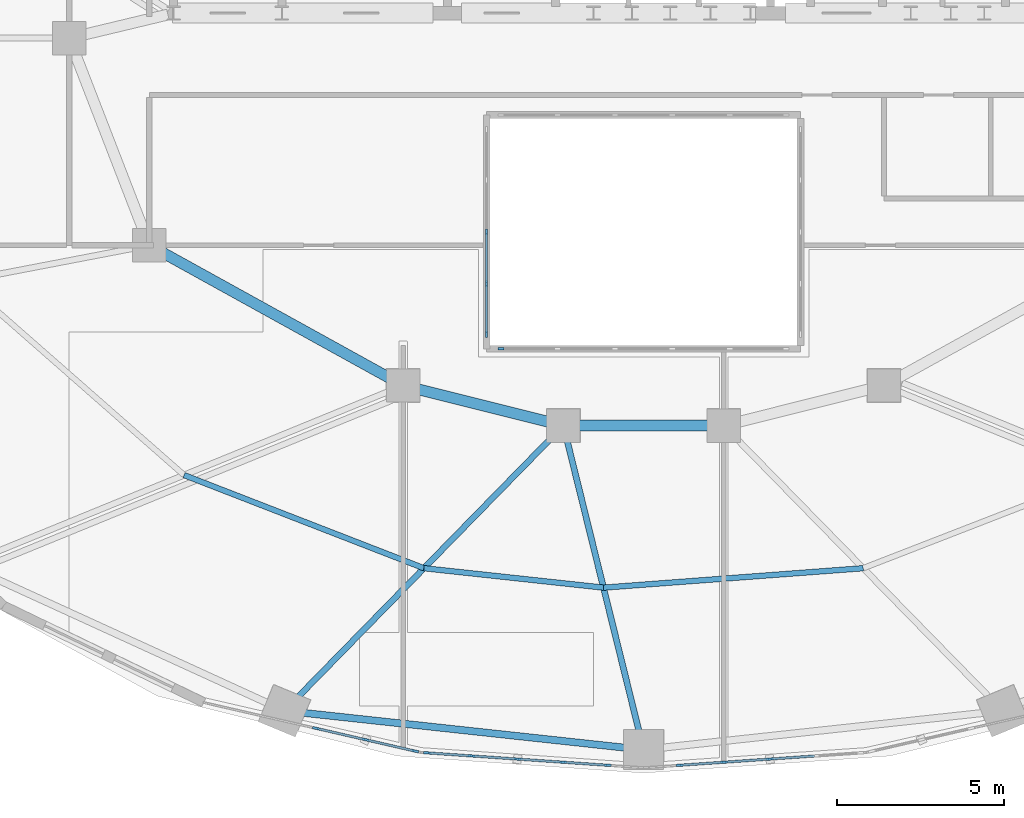
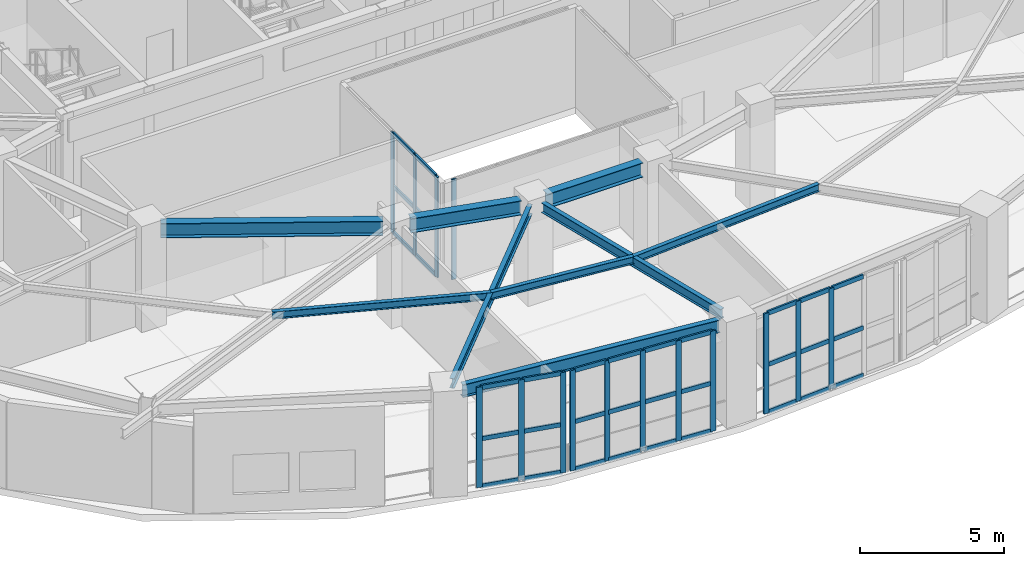
# One storey, part 3 of 16: 48 members, 9 beams, 5 elements without a shape of their own.
"""IFC4 building model written with IfcOpenShell, lengths in metres."""

from ifc_helpers import new_model, si_unit, direction, frame, origin, origin_2d, place, context, subcontext, project, spatial, rectangle, i_section, extrude, material, material_profile, profile_set, type_object, element, aggregate, save


model = new_model("IFC4")

# Units and contexts
model_context = context("Model", 3, precision=1e-05, world=origin(), true_north=direction((0.0, 1.0)))
body_context = subcontext(model_context, "Body", "Model", "MODEL_VIEW")
ifc_project = project(units=[si_unit("LENGTHUNIT", "METRE"), si_unit("AREAUNIT", "SQUARE_METRE"), si_unit("VOLUMEUNIT", "CUBIC_METRE"), si_unit("PLANEANGLEUNIT", "RADIAN"), si_unit("MASSUNIT", "GRAM", prefix="KILO")], contexts=[model_context])

# Site, building, storey
site_placement = place(None, origin())
site = spatial("IfcSite", under=ifc_project, at=site_placement, CompositionType="ELEMENT")
building_placement = place(site_placement, origin())
building = spatial("IfcBuilding", under=site, at=building_placement, Name="Haldorwick Loom Tower", CompositionType="ELEMENT")
storey_placement = place(building_placement, frame((0.0, 0.0, 200.35009765625)))
storey = spatial("IfcBuildingStorey", under=building, at=storey_placement, Name="L54", CompositionType="ELEMENT", Elevation=200.35009765625)

# Curtain wall, member
ifc_material_1 = material(Name="Thermally Broken Anodized Aluminium Curtain Wall Framing", Category="aluminium")
curtain_wall_type_1 = type_object("IfcCurtainWallType", Name="ARC-CW-03", PredefinedType="NOTDEFINED", material=ifc_material_1)
curtain_wall_1_placement = place(storey_placement, origin())
curtain_wall_1 = element("IfcCurtainWall", 1, at=curtain_wall_1_placement, inside=storey, type_object=curtain_wall_type_1, Name="L54 Atrium Glazed Screen S", PredefinedType="NOTDEFINED")
ifc_material_profile_1 = material_profile(ifc_material_1, rectangle(XDim=0.06591796875, YDim=0.18505859375, at=origin_2d()), Name="ALU_MUL_66X185", Category="aluminium")
ifc_profile_set_1 = profile_set([ifc_material_profile_1], Name="Thermally Broken Anodized Aluminium Curtain Wall Framing")
member_type_1 = type_object("IfcMemberType", Name="ARC-CWM-03", PredefinedType="MULLION", material=ifc_profile_set_1)
member_1_placement = place(storey_placement, frame((31.73291015625, 16.699951171875, 0.0), z_axis=(0.0, 0.0, 1.0), x_axis=(0.0, -1.0, 0.0)))
member_1 = element("IfcMember", 2, at=member_1_placement, type_object=member_type_1, Name="CW-03 mullion 6", PredefinedType="MULLION", context=body_context, shape_type="SweptSolid", body=[
    extrude(rectangle(XDim=0.06591796875, YDim=0.18505859375, at=origin_2d()), origin(), (0.0, 0.0, 1.0), 4.260009765625),
])
aggregate(curtain_wall_1, [member_1])

# Curtain wall, members
curtain_wall_2_placement = place(storey_placement, origin())
curtain_wall_2 = element("IfcCurtainWall", 3, at=curtain_wall_2_placement, inside=storey, type_object=curtain_wall_type_1, Name="L54 Atrium Glazed Screen W", PredefinedType="NOTDEFINED")
member_2_placement = place(storey_placement, frame((31.300048828125, 17.133056640625, 0.0), z_axis=(0.0, 0.0, 1.0), x_axis=(-1.0, 0.0, 0.0)))
member_2 = element("IfcMember", 4, at=member_2_placement, type_object=member_type_1, Name="CW-03 mullion 1", PredefinedType="MULLION", context=body_context, shape_type="SweptSolid", body=[
    extrude(rectangle(XDim=0.06591796875, YDim=0.18505859375, at=origin_2d()), origin(), (0.0, 0.0, 1.0), 4.260009765625),
])
member_3_placement = place(storey_placement, frame((31.300048828125, 18.64990234375, 0.0), z_axis=(0.0, 0.0, 1.0), x_axis=(-1.0, 0.0, 0.0)))
member_3 = element("IfcMember", 5, at=member_3_placement, type_object=member_type_1, Name="CW-03 mullion 2", PredefinedType="MULLION", context=body_context, shape_type="SweptSolid", body=[
    extrude(rectangle(XDim=0.06591796875, YDim=0.18505859375, at=origin_2d()), origin(), (0.0, 0.0, 1.0), 4.260009765625),
])
member_4_placement = place(storey_placement, frame((31.300048828125, 20.199951171875, 0.0), z_axis=(0.0, 0.0, 1.0), x_axis=(-1.0, 0.0, 0.0)))
member_4 = element("IfcMember", 6, at=member_4_placement, type_object=member_type_1, Name="CW-03 mullion 3", PredefinedType="MULLION", context=body_context, shape_type="SweptSolid", body=[
    extrude(rectangle(XDim=0.06591796875, YDim=0.18505859375, at=origin_2d()), origin(), (0.0, 0.0, 1.0), 4.260009765625),
])

curtain_wall_type_2 = type_object("IfcCurtainWallType", Name="ARC-CW-04", PredefinedType="NOTDEFINED", material=ifc_material_1)
curtain_wall_3_placement = place(storey_placement, origin())
curtain_wall_3 = element("IfcCurtainWall", 7, at=curtain_wall_3_placement, inside=storey, type_object=curtain_wall_type_2, Name="L54 Facade Curtain Wall CW-04 Bay 17", PredefinedType="NOTDEFINED")
ifc_material_profile_2 = material_profile(ifc_material_1, rectangle(XDim=0.072021484375, YDim=0.205078125, at=origin_2d()), Name="ALU_MUL_72X205", Category="aluminium")
ifc_profile_set_2 = profile_set([ifc_material_profile_2], Name="Thermally Broken Anodized Aluminium Curtain Wall Framing")
member_type_2 = type_object("IfcMemberType", Name="ARC-CWM-04", PredefinedType="MULLION", material=ifc_profile_set_2)
member_5_placement = place(storey_placement, frame((26.189208984375, 5.336181640625, 0.0), z_axis=(0.0, 0.0, 1.0), x_axis=(0.224141611493, 0.974556585323, 0.0)))
member_5 = element("IfcMember", 8, at=member_5_placement, type_object=member_type_2, Name="CW-04 mullion 1", PredefinedType="MULLION", context=body_context, shape_type="SweptSolid", body=[
    extrude(rectangle(XDim=0.072021484375, YDim=0.205078125, at=origin_2d()), origin(), (0.0, 0.0, 1.0), 4.260009765625),
])
member_6_placement = place(storey_placement, frame((27.67626953125, 4.994140625, 0.0), z_axis=(0.0, 0.0, 1.0), x_axis=(0.224141611493, 0.974556585323, 0.0)))
member_6 = element("IfcMember", 9, at=member_6_placement, type_object=member_type_2, Name="CW-04 mullion 2", PredefinedType="MULLION", context=body_context, shape_type="SweptSolid", body=[
    extrude(rectangle(XDim=0.072021484375, YDim=0.205078125, at=origin_2d()), origin(), (0.0, 0.0, 1.0), 4.260009765625),
])
member_7_placement = place(storey_placement, frame((29.1630859375, 4.65234375, 0.0), z_axis=(0.0, 0.0, 1.0), x_axis=(0.224141611493, 0.974556585323, 0.0)))
member_7 = element("IfcMember", 10, at=member_7_placement, type_object=member_type_2, Name="CW-04 mullion 3", PredefinedType="MULLION", context=body_context, shape_type="SweptSolid", body=[
    extrude(rectangle(XDim=0.072021484375, YDim=0.205078125, at=origin_2d()), origin(), (0.0, 0.0, 1.0), 4.260009765625),
])

curtain_wall_4_placement = place(storey_placement, origin())
curtain_wall_4 = element("IfcCurtainWall", 11, at=curtain_wall_4_placement, inside=storey, type_object=curtain_wall_type_2, Name="L54 Facade Curtain Wall CW-04 Bay 18", PredefinedType="NOTDEFINED")
member_8_placement = place(storey_placement, frame((29.51025390625, 4.600830078125, 0.0), z_axis=(0.0, 0.0, 1.0), x_axis=(0.068513392431, 0.997650196741, 0.0)))
member_8 = element("IfcMember", 12, at=member_8_placement, type_object=member_type_2, Name="CW-04 mullion 1", PredefinedType="MULLION", context=body_context, shape_type="SweptSolid", body=[
    extrude(rectangle(XDim=0.072021484375, YDim=0.205078125, at=origin_2d()), origin(), (0.0, 0.0, 1.0), 4.260009765625),
])
member_9_placement = place(storey_placement, frame((30.84716796875, 4.509033203125, 0.0), z_axis=(0.0, 0.0, 1.0), x_axis=(0.068513392431, 0.997650196741, 0.0)))
member_9 = element("IfcMember", 13, at=member_9_placement, type_object=member_type_2, Name="CW-04 mullion 2", PredefinedType="MULLION", context=body_context, shape_type="SweptSolid", body=[
    extrude(rectangle(XDim=0.072021484375, YDim=0.205078125, at=origin_2d()), origin(), (0.0, 0.0, 1.0), 4.260009765625),
])
member_10_placement = place(storey_placement, frame((32.219970703125, 4.41455078125, 0.0), z_axis=(0.0, 0.0, 1.0), x_axis=(0.068513392431, 0.997650196741, 0.0)))
member_10 = element("IfcMember", 14, at=member_10_placement, type_object=member_type_2, Name="CW-04 mullion 3", PredefinedType="MULLION", context=body_context, shape_type="SweptSolid", body=[
    extrude(rectangle(XDim=0.072021484375, YDim=0.205078125, at=origin_2d()), origin(), (0.0, 0.0, 1.0), 4.260009765625),
])
member_11_placement = place(storey_placement, frame((33.592529296875, 4.3203125, 0.0), z_axis=(0.0, 0.0, 1.0), x_axis=(0.068513392431, 0.997650196741, 0.0)))
member_11 = element("IfcMember", 15, at=member_11_placement, type_object=member_type_2, Name="CW-04 mullion 4", PredefinedType="MULLION", context=body_context, shape_type="SweptSolid", body=[
    extrude(rectangle(XDim=0.072021484375, YDim=0.205078125, at=origin_2d()), origin(), (0.0, 0.0, 1.0), 4.260009765625),
])
member_12_placement = place(storey_placement, frame((34.929443359375, 4.228515625, 0.0), z_axis=(0.0, 0.0, 1.0), x_axis=(0.068513392431, 0.997650196741, 0.0)))
member_12 = element("IfcMember", 16, at=member_12_placement, type_object=member_type_2, Name="CW-04 mullion 5", PredefinedType="MULLION", context=body_context, shape_type="SweptSolid", body=[
    extrude(rectangle(XDim=0.072021484375, YDim=0.205078125, at=origin_2d()), origin(), (0.0, 0.0, 1.0), 4.260009765625),
])

curtain_wall_5_placement = place(storey_placement, origin())
curtain_wall_5 = element("IfcCurtainWall", 17, at=curtain_wall_5_placement, inside=storey, type_object=curtain_wall_type_2, Name="L54 Facade Curtain Wall CW-04 Bay 19", PredefinedType="NOTDEFINED")
member_13_placement = place(storey_placement, frame((37.070556640625, 4.228515625, 0.0), z_axis=(0.0, 0.0, 1.0), x_axis=(-0.068513392431, 0.997650196741, 0.0)))
member_13 = element("IfcMember", 18, at=member_13_placement, type_object=member_type_2, Name="CW-04 mullion 1", PredefinedType="MULLION", context=body_context, shape_type="SweptSolid", body=[
    extrude(rectangle(XDim=0.072021484375, YDim=0.205078125, at=origin_2d()), origin(), (0.0, 0.0, 1.0), 4.260009765625),
])
member_14_placement = place(storey_placement, frame((38.407470703125, 4.3203125, 0.0), z_axis=(0.0, 0.0, 1.0), x_axis=(-0.068513392431, 0.997650196741, 0.0)))
member_14 = element("IfcMember", 19, at=member_14_placement, type_object=member_type_2, Name="CW-04 mullion 2", PredefinedType="MULLION", context=body_context, shape_type="SweptSolid", body=[
    extrude(rectangle(XDim=0.072021484375, YDim=0.205078125, at=origin_2d()), origin(), (0.0, 0.0, 1.0), 4.260009765625),
])
member_15_placement = place(storey_placement, frame((39.780029296875, 4.41455078125, 0.0), z_axis=(0.0, 0.0, 1.0), x_axis=(-0.068513392431, 0.997650196741, 0.0)))
member_15 = element("IfcMember", 20, at=member_15_placement, type_object=member_type_2, Name="CW-04 mullion 3", PredefinedType="MULLION", context=body_context, shape_type="SweptSolid", body=[
    extrude(rectangle(XDim=0.072021484375, YDim=0.205078125, at=origin_2d()), origin(), (0.0, 0.0, 1.0), 4.260009765625),
])

# Member
ifc_material_profile_3 = material_profile(ifc_material_1, rectangle(XDim=0.06591796875, YDim=0.1650390625, at=origin_2d()), Name="ALU_TRN_66X165", Category="aluminium")
ifc_profile_set_3 = profile_set([ifc_material_profile_3], Name="Thermally Broken Anodized Aluminium Curtain Wall Framing")
member_type_3 = type_object("IfcMemberType", Name="ARC-CWT-03", PredefinedType="USERDEFINED", material=ifc_profile_set_3)
member_16_placement = place(storey_placement, frame((31.300048828125, 17.166015625, 0.032958984375), z_axis=(0.0, 1.0, 0.0), x_axis=(-1.0, 0.0, 0.0)))
member_16 = element("IfcMember", 21, at=member_16_placement, type_object=member_type_3, Name="CW-03 transom 1.1", ObjectType="TRANSOM", PredefinedType="USERDEFINED", context=body_context, shape_type="SweptSolid", body=[
    extrude(rectangle(XDim=0.06591796875, YDim=0.1650390625, at=origin_2d()), origin(), (0.0, 0.0, 1.0), 1.450927734375),
])

member_17_placement = place(storey_placement, frame((31.300048828125, 17.166015625, 2.0), z_axis=(0.0, 1.0, 0.0), x_axis=(-1.0, 0.0, 0.0)))
member_17 = element("IfcMember", 22, at=member_17_placement, type_object=member_type_3, Name="CW-03 transom 1.2", ObjectType="TRANSOM", PredefinedType="USERDEFINED", context=body_context, shape_type="SweptSolid", body=[
    extrude(rectangle(XDim=0.06591796875, YDim=0.1650390625, at=origin_2d()), origin(), (0.0, 0.0, 1.0), 1.450927734375),
])

member_18_placement = place(storey_placement, frame((31.300048828125, 17.166015625, 4.226806640625), z_axis=(0.0, 1.0, 0.0), x_axis=(-1.0, 0.0, 0.0)))
member_18 = element("IfcMember", 23, at=member_18_placement, type_object=member_type_3, Name="CW-03 transom 1.3", ObjectType="TRANSOM", PredefinedType="USERDEFINED", context=body_context, shape_type="SweptSolid", body=[
    extrude(rectangle(XDim=0.06591796875, YDim=0.1650390625, at=origin_2d()), origin(), (0.0, 0.0, 1.0), 1.450927734375),
])

member_19_placement = place(storey_placement, frame((31.300048828125, 18.68310546875, 0.032958984375), z_axis=(0.0, 1.0, 0.0), x_axis=(-1.0, 0.0, 0.0)))
member_19 = element("IfcMember", 24, at=member_19_placement, type_object=member_type_3, Name="CW-03 transom 2.1", ObjectType="TRANSOM", PredefinedType="USERDEFINED", context=body_context, shape_type="SweptSolid", body=[
    extrude(rectangle(XDim=0.06591796875, YDim=0.1650390625, at=origin_2d()), origin(), (0.0, 0.0, 1.0), 1.48388671875),
])

member_20_placement = place(storey_placement, frame((31.300048828125, 18.68310546875, 2.0), z_axis=(0.0, 1.0, 0.0), x_axis=(-1.0, 0.0, 0.0)))
member_20 = element("IfcMember", 25, at=member_20_placement, type_object=member_type_3, Name="CW-03 transom 2.2", ObjectType="TRANSOM", PredefinedType="USERDEFINED", context=body_context, shape_type="SweptSolid", body=[
    extrude(rectangle(XDim=0.06591796875, YDim=0.1650390625, at=origin_2d()), origin(), (0.0, 0.0, 1.0), 1.48388671875),
])

member_21_placement = place(storey_placement, frame((31.300048828125, 18.68310546875, 4.226806640625), z_axis=(0.0, 1.0, 0.0), x_axis=(-1.0, 0.0, 0.0)))
member_21 = element("IfcMember", 26, at=member_21_placement, type_object=member_type_3, Name="CW-03 transom 2.3", ObjectType="TRANSOM", PredefinedType="USERDEFINED", context=body_context, shape_type="SweptSolid", body=[
    extrude(rectangle(XDim=0.06591796875, YDim=0.1650390625, at=origin_2d()), origin(), (0.0, 0.0, 1.0), 1.48388671875),
])

aggregate(curtain_wall_2, [member_2, member_3, member_4, member_16, member_17, member_18, member_19, member_20, member_21])

ifc_material_profile_4 = material_profile(ifc_material_1, rectangle(XDim=0.072021484375, YDim=0.18505859375, at=origin_2d()), Name="ALU_TRN_72X185", Category="aluminium")
ifc_profile_set_4 = profile_set([ifc_material_profile_4], Name="Thermally Broken Anodized Aluminium Curtain Wall Framing")
member_type_4 = type_object("IfcMemberType", Name="ARC-CWT-04", PredefinedType="USERDEFINED", material=ifc_profile_set_4)
member_22_placement = place(storey_placement, frame((26.224365234375, 5.328125, 0.035888671875), z_axis=(0.974543812985, -0.224197137745, 0.0), x_axis=(0.224197137745, 0.974543812985, 0.0)))
member_22 = element("IfcMember", 27, at=member_22_placement, type_object=member_type_4, Name="CW-04 transom 1.1", ObjectType="TRANSOM", PredefinedType="USERDEFINED", context=body_context, shape_type="SweptSolid", body=[
    extrude(rectangle(XDim=0.072021484375, YDim=0.18505859375, at=origin_2d()), origin(), (0.0, 0.0, 1.0), 1.453857421875),
])

member_23_placement = place(storey_placement, frame((26.224365234375, 5.328125, 2.0498046875), z_axis=(0.974543812985, -0.224197137745, 0.0), x_axis=(0.224197137745, 0.974543812985, 0.0)))
member_23 = element("IfcMember", 28, at=member_23_placement, type_object=member_type_4, Name="CW-04 transom 1.2", ObjectType="TRANSOM", PredefinedType="USERDEFINED", context=body_context, shape_type="SweptSolid", body=[
    extrude(rectangle(XDim=0.072021484375, YDim=0.18505859375, at=origin_2d()), origin(), (0.0, 0.0, 1.0), 1.453857421875),
])

member_24_placement = place(storey_placement, frame((26.224365234375, 5.328125, 4.223876953125), z_axis=(0.974543812985, -0.224197137745, 0.0), x_axis=(0.224197137745, 0.974543812985, 0.0)))
member_24 = element("IfcMember", 29, at=member_24_placement, type_object=member_type_4, Name="CW-04 transom 1.3", ObjectType="TRANSOM", PredefinedType="USERDEFINED", context=body_context, shape_type="SweptSolid", body=[
    extrude(rectangle(XDim=0.072021484375, YDim=0.18505859375, at=origin_2d()), origin(), (0.0, 0.0, 1.0), 1.453857421875),
])

member_25_placement = place(storey_placement, frame((27.711181640625, 4.986083984375, 0.035888671875), z_axis=(0.97458049406, -0.2240376321, 0.0), x_axis=(0.2240376321, 0.97458049406, 0.0)))
member_25 = element("IfcMember", 30, at=member_25_placement, type_object=member_type_4, Name="CW-04 transom 2.1", ObjectType="TRANSOM", PredefinedType="USERDEFINED", context=body_context, shape_type="SweptSolid", body=[
    extrude(rectangle(XDim=0.072021484375, YDim=0.18505859375, at=origin_2d()), origin(), (0.0, 0.0, 1.0), 1.45361328125),
])

member_26_placement = place(storey_placement, frame((27.711181640625, 4.986083984375, 2.0498046875), z_axis=(0.97458049406, -0.2240376321, 0.0), x_axis=(0.2240376321, 0.97458049406, 0.0)))
member_26 = element("IfcMember", 31, at=member_26_placement, type_object=member_type_4, Name="CW-04 transom 2.2", ObjectType="TRANSOM", PredefinedType="USERDEFINED", context=body_context, shape_type="SweptSolid", body=[
    extrude(rectangle(XDim=0.072021484375, YDim=0.18505859375, at=origin_2d()), origin(), (0.0, 0.0, 1.0), 1.45361328125),
])

member_27_placement = place(storey_placement, frame((27.711181640625, 4.986083984375, 4.223876953125), z_axis=(0.97458049406, -0.2240376321, 0.0), x_axis=(0.2240376321, 0.97458049406, 0.0)))
member_27 = element("IfcMember", 32, at=member_27_placement, type_object=member_type_4, Name="CW-04 transom 2.3", ObjectType="TRANSOM", PredefinedType="USERDEFINED", context=body_context, shape_type="SweptSolid", body=[
    extrude(rectangle(XDim=0.072021484375, YDim=0.18505859375, at=origin_2d()), origin(), (0.0, 0.0, 1.0), 1.45361328125),
])

aggregate(curtain_wall_3, [member_5, member_6, member_7, member_22, member_23, member_24, member_25, member_26, member_27])

member_28_placement = place(storey_placement, frame((29.546142578125, 4.598388671875, 0.035888671875), z_axis=(0.997648520341, -0.068537798773, 0.0), x_axis=(0.068537798773, 0.997648520341, 0.0)))
member_28 = element("IfcMember", 33, at=member_28_placement, type_object=member_type_4, Name="CW-04 transom 1.1", ObjectType="TRANSOM", PredefinedType="USERDEFINED", context=body_context, shape_type="SweptSolid", body=[
    extrude(rectangle(XDim=0.072021484375, YDim=0.18505859375, at=origin_2d()), origin(), (0.0, 0.0, 1.0), 1.26806640625),
])

member_29_placement = place(storey_placement, frame((29.546142578125, 4.598388671875, 2.0498046875), z_axis=(0.997648520341, -0.068537798773, 0.0), x_axis=(0.068537798773, 0.997648520341, 0.0)))
member_29 = element("IfcMember", 34, at=member_29_placement, type_object=member_type_4, Name="CW-04 transom 1.2", ObjectType="TRANSOM", PredefinedType="USERDEFINED", context=body_context, shape_type="SweptSolid", body=[
    extrude(rectangle(XDim=0.072021484375, YDim=0.18505859375, at=origin_2d()), origin(), (0.0, 0.0, 1.0), 1.26806640625),
])

member_30_placement = place(storey_placement, frame((29.546142578125, 4.598388671875, 4.223876953125), z_axis=(0.997648520341, -0.068537798773, 0.0), x_axis=(0.068537798773, 0.997648520341, 0.0)))
member_30 = element("IfcMember", 35, at=member_30_placement, type_object=member_type_4, Name="CW-04 transom 1.3", ObjectType="TRANSOM", PredefinedType="USERDEFINED", context=body_context, shape_type="SweptSolid", body=[
    extrude(rectangle(XDim=0.072021484375, YDim=0.18505859375, at=origin_2d()), origin(), (0.0, 0.0, 1.0), 1.26806640625),
])

member_31_placement = place(storey_placement, frame((30.883056640625, 4.50634765625, 0.035888671875), z_axis=(0.997661690751, -0.068345817779, 0.0), x_axis=(0.068345817779, 0.997661690751, 0.0)))
member_31 = element("IfcMember", 36, at=member_31_placement, type_object=member_type_4, Name="CW-04 transom 2.1", ObjectType="TRANSOM", PredefinedType="USERDEFINED", context=body_context, shape_type="SweptSolid", body=[
    extrude(rectangle(XDim=0.072021484375, YDim=0.18505859375, at=origin_2d()), origin(), (0.0, 0.0, 1.0), 1.3037109375),
])

member_32_placement = place(storey_placement, frame((30.883056640625, 4.50634765625, 2.0498046875), z_axis=(0.997661690751, -0.068345817779, 0.0), x_axis=(0.068345817779, 0.997661690751, 0.0)))
member_32 = element("IfcMember", 37, at=member_32_placement, type_object=member_type_4, Name="CW-04 transom 2.2", ObjectType="TRANSOM", PredefinedType="USERDEFINED", context=body_context, shape_type="SweptSolid", body=[
    extrude(rectangle(XDim=0.072021484375, YDim=0.18505859375, at=origin_2d()), origin(), (0.0, 0.0, 1.0), 1.3037109375),
])

member_33_placement = place(storey_placement, frame((30.883056640625, 4.50634765625, 4.223876953125), z_axis=(0.997661690751, -0.068345817779, 0.0), x_axis=(0.068345817779, 0.997661690751, 0.0)))
member_33 = element("IfcMember", 38, at=member_33_placement, type_object=member_type_4, Name="CW-04 transom 2.3", ObjectType="TRANSOM", PredefinedType="USERDEFINED", context=body_context, shape_type="SweptSolid", body=[
    extrude(rectangle(XDim=0.072021484375, YDim=0.18505859375, at=origin_2d()), origin(), (0.0, 0.0, 1.0), 1.3037109375),
])

member_34_placement = place(storey_placement, frame((32.255859375, 4.412109375, 0.035888671875), z_axis=(0.997648905758, -0.068532188346, 0.0), x_axis=(0.068532188346, 0.997648905758, 0.0)))
member_34 = element("IfcMember", 39, at=member_34_placement, type_object=member_type_4, Name="CW-04 transom 3.1", ObjectType="TRANSOM", PredefinedType="USERDEFINED", context=body_context, shape_type="SweptSolid", body=[
    extrude(rectangle(XDim=0.072021484375, YDim=0.18505859375, at=origin_2d()), origin(), (0.0, 0.0, 1.0), 1.303955078125),
])

member_35_placement = place(storey_placement, frame((32.255859375, 4.412109375, 2.0498046875), z_axis=(0.997648905758, -0.068532188346, 0.0), x_axis=(0.068532188346, 0.997648905758, 0.0)))
member_35 = element("IfcMember", 40, at=member_35_placement, type_object=member_type_4, Name="CW-04 transom 3.2", ObjectType="TRANSOM", PredefinedType="USERDEFINED", context=body_context, shape_type="SweptSolid", body=[
    extrude(rectangle(XDim=0.072021484375, YDim=0.18505859375, at=origin_2d()), origin(), (0.0, 0.0, 1.0), 1.303955078125),
])

member_36_placement = place(storey_placement, frame((32.255859375, 4.412109375, 4.223876953125), z_axis=(0.997648905758, -0.068532188346, 0.0), x_axis=(0.068532188346, 0.997648905758, 0.0)))
member_36 = element("IfcMember", 41, at=member_36_placement, type_object=member_type_4, Name="CW-04 transom 3.3", ObjectType="TRANSOM", PredefinedType="USERDEFINED", context=body_context, shape_type="SweptSolid", body=[
    extrude(rectangle(XDim=0.072021484375, YDim=0.18505859375, at=origin_2d()), origin(), (0.0, 0.0, 1.0), 1.303955078125),
])

member_37_placement = place(storey_placement, frame((33.628662109375, 4.31787109375, 0.035888671875), z_axis=(0.997647615723, -0.068550965296, 0.0), x_axis=(0.068550965296, 0.997647615723, 0.0)))
member_37 = element("IfcMember", 42, at=member_37_placement, type_object=member_type_4, Name="CW-04 transom 4.1", ObjectType="TRANSOM", PredefinedType="USERDEFINED", context=body_context, shape_type="SweptSolid", body=[
    extrude(rectangle(XDim=0.072021484375, YDim=0.18505859375, at=origin_2d()), origin(), (0.0, 0.0, 1.0), 1.267822265625),
])

member_38_placement = place(storey_placement, frame((33.628662109375, 4.31787109375, 2.0498046875), z_axis=(0.997647615723, -0.068550965296, 0.0), x_axis=(0.068550965296, 0.997647615723, 0.0)))
member_38 = element("IfcMember", 43, at=member_38_placement, type_object=member_type_4, Name="CW-04 transom 4.2", ObjectType="TRANSOM", PredefinedType="USERDEFINED", context=body_context, shape_type="SweptSolid", body=[
    extrude(rectangle(XDim=0.072021484375, YDim=0.18505859375, at=origin_2d()), origin(), (0.0, 0.0, 1.0), 1.267822265625),
])

member_39_placement = place(storey_placement, frame((33.628662109375, 4.31787109375, 4.223876953125), z_axis=(0.997647615723, -0.068550965296, 0.0), x_axis=(0.068550965296, 0.997647615723, 0.0)))
member_39 = element("IfcMember", 44, at=member_39_placement, type_object=member_type_4, Name="CW-04 transom 4.3", ObjectType="TRANSOM", PredefinedType="USERDEFINED", context=body_context, shape_type="SweptSolid", body=[
    extrude(rectangle(XDim=0.072021484375, YDim=0.18505859375, at=origin_2d()), origin(), (0.0, 0.0, 1.0), 1.267822265625),
])

aggregate(curtain_wall_4, [member_8, member_9, member_10, member_11, member_12, member_28, member_29, member_30, member_31, member_32, member_33, member_34, member_35, member_36, member_37, member_38, member_39])

member_40_placement = place(storey_placement, frame((37.1064453125, 4.23095703125, 0.035888671875), z_axis=(0.997647615723, 0.068550965296, 0.0), x_axis=(-0.068550965296, 0.997647615723, 0.0)))
member_40 = element("IfcMember", 45, at=member_40_placement, type_object=member_type_4, Name="CW-04 transom 1.1", ObjectType="TRANSOM", PredefinedType="USERDEFINED", context=body_context, shape_type="SweptSolid", body=[
    extrude(rectangle(XDim=0.072021484375, YDim=0.18505859375, at=origin_2d()), origin(), (0.0, 0.0, 1.0), 1.267822265625),
])

member_41_placement = place(storey_placement, frame((37.1064453125, 4.23095703125, 2.0498046875), z_axis=(0.997647615723, 0.068550965296, 0.0), x_axis=(-0.068550965296, 0.997647615723, 0.0)))
member_41 = element("IfcMember", 46, at=member_41_placement, type_object=member_type_4, Name="CW-04 transom 1.2", ObjectType="TRANSOM", PredefinedType="USERDEFINED", context=body_context, shape_type="SweptSolid", body=[
    extrude(rectangle(XDim=0.072021484375, YDim=0.18505859375, at=origin_2d()), origin(), (0.0, 0.0, 1.0), 1.267822265625),
])

member_42_placement = place(storey_placement, frame((37.1064453125, 4.23095703125, 4.223876953125), z_axis=(0.997647615723, 0.068550965296, 0.0), x_axis=(-0.068550965296, 0.997647615723, 0.0)))
member_42 = element("IfcMember", 47, at=member_42_placement, type_object=member_type_4, Name="CW-04 transom 1.3", ObjectType="TRANSOM", PredefinedType="USERDEFINED", context=body_context, shape_type="SweptSolid", body=[
    extrude(rectangle(XDim=0.072021484375, YDim=0.18505859375, at=origin_2d()), origin(), (0.0, 0.0, 1.0), 1.267822265625),
])

member_43_placement = place(storey_placement, frame((38.443359375, 4.32275390625, 0.035888671875), z_axis=(0.997648905758, 0.068532188346, 0.0), x_axis=(-0.068532188346, 0.997648905758, 0.0)))
member_43 = element("IfcMember", 48, at=member_43_placement, type_object=member_type_4, Name="CW-04 transom 2.1", ObjectType="TRANSOM", PredefinedType="USERDEFINED", context=body_context, shape_type="SweptSolid", body=[
    extrude(rectangle(XDim=0.072021484375, YDim=0.18505859375, at=origin_2d()), origin(), (0.0, 0.0, 1.0), 1.303955078125),
])

member_44_placement = place(storey_placement, frame((38.443359375, 4.32275390625, 2.0498046875), z_axis=(0.997648905758, 0.068532188346, 0.0), x_axis=(-0.068532188346, 0.997648905758, 0.0)))
member_44 = element("IfcMember", 49, at=member_44_placement, type_object=member_type_4, Name="CW-04 transom 2.2", ObjectType="TRANSOM", PredefinedType="USERDEFINED", context=body_context, shape_type="SweptSolid", body=[
    extrude(rectangle(XDim=0.072021484375, YDim=0.18505859375, at=origin_2d()), origin(), (0.0, 0.0, 1.0), 1.303955078125),
])

member_45_placement = place(storey_placement, frame((38.443359375, 4.32275390625, 4.223876953125), z_axis=(0.997648905758, 0.068532188346, 0.0), x_axis=(-0.068532188346, 0.997648905758, 0.0)))
member_45 = element("IfcMember", 50, at=member_45_placement, type_object=member_type_4, Name="CW-04 transom 2.3", ObjectType="TRANSOM", PredefinedType="USERDEFINED", context=body_context, shape_type="SweptSolid", body=[
    extrude(rectangle(XDim=0.072021484375, YDim=0.18505859375, at=origin_2d()), origin(), (0.0, 0.0, 1.0), 1.303955078125),
])

member_46_placement = place(storey_placement, frame((39.816162109375, 4.417236328125, 0.035888671875), z_axis=(0.997661690751, 0.068345817779, 0.0), x_axis=(-0.068345817779, 0.997661690751, 0.0)))
member_46 = element("IfcMember", 51, at=member_46_placement, type_object=member_type_4, Name="CW-04 transom 3.1", ObjectType="TRANSOM", PredefinedType="USERDEFINED", context=body_context, shape_type="SweptSolid", body=[
    extrude(rectangle(XDim=0.072021484375, YDim=0.18505859375, at=origin_2d()), origin(), (0.0, 0.0, 1.0), 1.3037109375),
])

member_47_placement = place(storey_placement, frame((39.816162109375, 4.417236328125, 2.0498046875), z_axis=(0.997661690751, 0.068345817779, 0.0), x_axis=(-0.068345817779, 0.997661690751, 0.0)))
member_47 = element("IfcMember", 52, at=member_47_placement, type_object=member_type_4, Name="CW-04 transom 3.2", ObjectType="TRANSOM", PredefinedType="USERDEFINED", context=body_context, shape_type="SweptSolid", body=[
    extrude(rectangle(XDim=0.072021484375, YDim=0.18505859375, at=origin_2d()), origin(), (0.0, 0.0, 1.0), 1.3037109375),
])

member_48_placement = place(storey_placement, frame((39.816162109375, 4.417236328125, 4.223876953125), z_axis=(0.997661690751, 0.068345817779, 0.0), x_axis=(-0.068345817779, 0.997661690751, 0.0)))
member_48 = element("IfcMember", 53, at=member_48_placement, type_object=member_type_4, Name="CW-04 transom 3.3", ObjectType="TRANSOM", PredefinedType="USERDEFINED", context=body_context, shape_type="SweptSolid", body=[
    extrude(rectangle(XDim=0.072021484375, YDim=0.18505859375, at=origin_2d()), origin(), (0.0, 0.0, 1.0), 1.3037109375),
])

aggregate(curtain_wall_5, [member_13, member_14, member_15, member_40, member_41, member_42, member_43, member_44, member_45, member_46, member_47, member_48])

# Beams
ifc_material_2 = material(Name="Steel CSA G40.21 350W", Category="steel")
ifc_material_profile_5 = material_profile(ifc_material_2, i_section(OverallWidth=0.166015625, OverallDepth=0.31298828125, WebThickness=0.006591796875, FlangeThickness=0.01123046875, at=origin_2d()), Name="W310X45", Category="steel")
ifc_profile_set_5 = profile_set([ifc_material_profile_5], Name="Steel CSA G40.21 350W")
beam_type_1 = type_object("IfcBeamType", Name="STR-BM-J310", PredefinedType="JOIST", material=ifc_profile_set_5)
beam_1_placement = place(storey_placement, frame((22.2412109375, 12.91748046875, 4.103515625), z_axis=(0.932232852675, -0.36185896202, 0.0), x_axis=(0.36185896202, 0.932232852675, 0.0)))
element("IfcBeam", 54, at=beam_1_placement, inside=storey, type_object=beam_type_1, Name="L54 Mid-Bay Secondary Joist 11", PredefinedType="JOIST", context=body_context, shape_type="SweptSolid", body=[
    extrude(i_section(OverallWidth=0.166015625, OverallDepth=0.31298828125, WebThickness=0.006591796875, FlangeThickness=0.01123046875, at=origin_2d()), origin(), (0.0, 0.0, 1.0), 7.7041015625),
])
beam_2_placement = place(storey_placement, frame((29.42333984375, 10.129638671875, 4.103515625), z_axis=(0.994191913888, -0.107621737398, 0.0), x_axis=(0.107621737398, 0.994191913888, 0.0)))
element("IfcBeam", 55, at=beam_2_placement, inside=storey, type_object=beam_type_1, Name="L54 Mid-Bay Secondary Joist 12", PredefinedType="JOIST", context=body_context, shape_type="SweptSolid", body=[
    extrude(i_section(OverallWidth=0.166015625, OverallDepth=0.31298828125, WebThickness=0.006591796875, FlangeThickness=0.01123046875, at=origin_2d()), origin(), (0.0, 0.0, 1.0), 5.408203125),
])
beam_3_placement = place(storey_placement, frame((34.800048828125, 9.547607421875, 4.103515625), z_axis=(0.997210913817, 0.074635067923, 0.0), x_axis=(-0.074635067923, 0.997210913817, 0.0)))
element("IfcBeam", 56, at=beam_3_placement, inside=storey, type_object=beam_type_1, Name="L54 Mid-Bay Secondary Joist 13", PredefinedType="JOIST", context=body_context, shape_type="SweptSolid", body=[
    extrude(i_section(OverallWidth=0.166015625, OverallDepth=0.31298828125, WebThickness=0.006591796875, FlangeThickness=0.01123046875, at=origin_2d()), origin(), (0.0, 0.0, 1.0), 7.79833984375),
])
ifc_material_profile_6 = material_profile(ifc_material_2, i_section(OverallWidth=0.179931640625, OverallDepth=0.4130859375, WebThickness=0.009765625, FlangeThickness=0.01611328125, at=origin_2d()), Name="W410X74", Category="steel")
ifc_profile_set_6 = profile_set([ifc_material_profile_6], Name="Steel CSA G40.21 350W")
beam_type_2 = type_object("IfcBeamType", Name="STR-BM-J410", PredefinedType="JOIST", material=ifc_profile_set_6)
beam_4_placement = place(storey_placement, frame((33.267822265625, 14.060302734375, 4.053466796875), z_axis=(-0.699238682239, -0.714888288658, 0.0), x_axis=(0.714888288658, -0.699238682239, 0.0)))
element("IfcBeam", 57, at=beam_4_placement, inside=storey, type_object=beam_type_2, Name="L54 Radial Floor Girder 12", PredefinedType="JOIST", context=body_context, shape_type="SweptSolid", body=[
    extrude(i_section(OverallWidth=0.179931640625, OverallDepth=0.4130859375, WebThickness=0.009765625, FlangeThickness=0.01611328125, at=origin_2d()), origin(), (0.0, 0.0, 1.0), 10.951416015625),
])
beam_5_placement = place(storey_placement, frame((33.714111328125, 13.93896484375, 4.053466796875), z_axis=(0.240059013303, -0.970758296453, 0.0), x_axis=(0.970758296453, 0.240059013303, 0.0)))
element("IfcBeam", 58, at=beam_5_placement, inside=storey, type_object=beam_type_2, Name="L54 Radial Floor Girder 13", PredefinedType="JOIST", context=body_context, shape_type="SweptSolid", body=[
    extrude(i_section(OverallWidth=0.179931640625, OverallDepth=0.4130859375, WebThickness=0.009765625, FlangeThickness=0.01611328125, at=origin_2d()), origin(), (0.0, 0.0, 1.0), 9.00244140625),
])
ifc_material_profile_7 = material_profile(ifc_material_2, i_section(OverallWidth=0.2119140625, OverallDepth=0.5439453125, WebThickness=0.01318359375, FlangeThickness=0.021240234375, at=origin_2d()), Name="W530X123", Category="steel")
ifc_profile_set_7 = profile_set([ifc_material_profile_7], Name="Steel CSA G40.21 350W")
beam_type_3 = type_object("IfcBeamType", Name="STR-BM-SP530", PredefinedType="SPANDREL", material=ifc_profile_set_7)
beam_6_placement = place(storey_placement, frame((25.763671875, 5.803466796875, 3.98779296875), z_axis=(0.994187774205, -0.107659972233, 0.0), x_axis=(0.107659972233, 0.994187774205, 0.0)))
element("IfcBeam", 59, at=beam_6_placement, inside=storey, type_object=beam_type_3, Name="L54 Perimeter Spandrel 12", PredefinedType="SPANDREL", context=body_context, shape_type="SweptSolid", body=[
    extrude(i_section(OverallWidth=0.2119140625, OverallDepth=0.5439453125, WebThickness=0.01318359375, FlangeThickness=0.021240234375, at=origin_2d()), origin(), (0.0, 0.0, 1.0), 9.776123046875),
])
ifc_material_profile_8 = material_profile(ifc_material_2, i_section(OverallWidth=0.324951171875, OverallDepth=0.615966796875, WebThickness=0.013916015625, FlangeThickness=0.021484375, at=origin_2d()), Name="W610X174", Category="steel")
ifc_profile_set_8 = profile_set([ifc_material_profile_8], Name="Steel CSA G40.21 350W")
beam_type_4 = type_object("IfcBeamType", Name="STR-BM-W610A", PredefinedType="BEAM", material=ifc_profile_set_8)
beam_7_placement = place(storey_placement, frame((37.925048828125, 14.39990234375, 3.951904296875), z_axis=(-1.0, 0.0, 0.0), x_axis=(0.0, -1.0, 0.0)))
element("IfcBeam", 60, at=beam_7_placement, inside=storey, type_object=beam_type_4, Name="L54 Inner Ring Girder 5", PredefinedType="BEAM", context=body_context, shape_type="SweptSolid", body=[
    extrude(i_section(OverallWidth=0.324951171875, OverallDepth=0.615966796875, WebThickness=0.013916015625, FlangeThickness=0.021484375, at=origin_2d()), origin(), (0.0, 0.0, 1.0), 3.85009765625),
])
beam_8_placement = place(storey_placement, frame((33.13916015625, 14.51513671875, 3.951904296875), z_axis=(-0.970135315182, 0.242564363081, 0.0), x_axis=(-0.242564363081, -0.970135315182, 0.0)))
element("IfcBeam", 61, at=beam_8_placement, inside=storey, type_object=beam_type_4, Name="L54 Inner Ring Girder 6", PredefinedType="BEAM", context=body_context, shape_type="SweptSolid", body=[
    extrude(i_section(OverallWidth=0.324951171875, OverallDepth=0.615966796875, WebThickness=0.013916015625, FlangeThickness=0.021484375, at=origin_2d()), origin(), (0.0, 0.0, 1.0), 3.997802734375),
])
beam_9_placement = place(storey_placement, frame((28.38427734375, 15.829833984375, 3.951904296875), z_axis=(-0.875243645673, 0.483682293152, 0.0), x_axis=(-0.483682293152, -0.875243645673, 0.0)))
element("IfcBeam", 62, at=beam_9_placement, inside=storey, type_object=beam_type_4, Name="L54 Inner Ring Girder 7", PredefinedType="BEAM", context=body_context, shape_type="SweptSolid", body=[
    extrude(i_section(OverallWidth=0.324951171875, OverallDepth=0.615966796875, WebThickness=0.013916015625, FlangeThickness=0.021484375, at=origin_2d()), origin(), (0.0, 0.0, 1.0), 7.7333984375),
])

save(model, "model.ifc")
